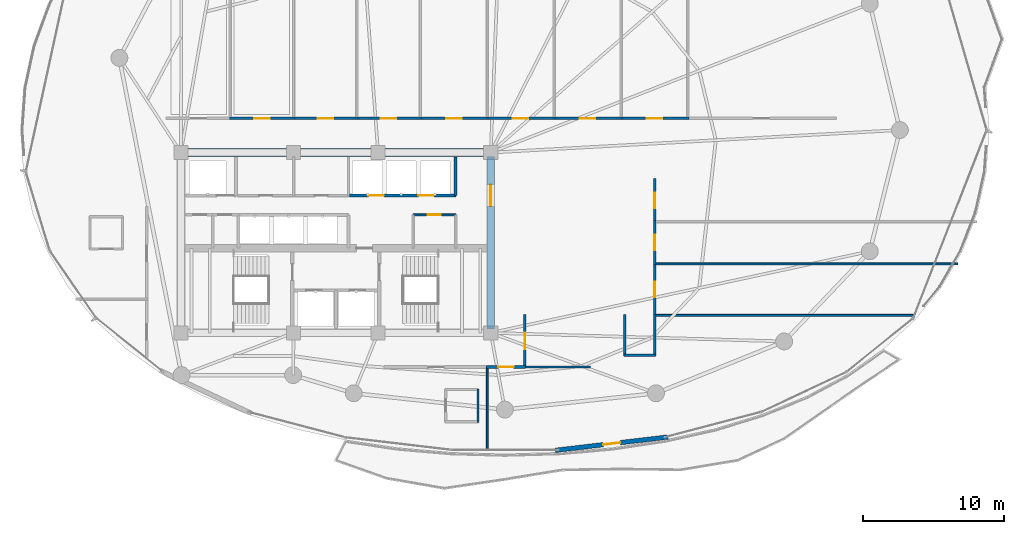
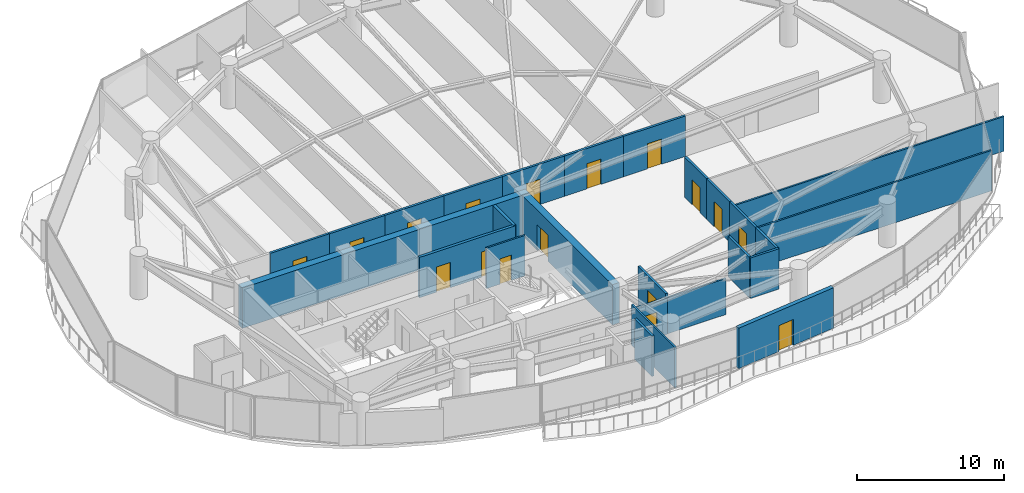
# One storey, part 27 of 34: 26 walls, 17 doors, 17 openings.
"""IFC4 building model written with IfcOpenShell, lengths in metres."""

from ifc_helpers import new_model, si_unit, direction, frame, frame_2d, origin, place, context, subcontext, project, spatial, rectangle, extrude, material, layer, layer_set, type_object, element, fill, save


model = new_model("IFC4")

# Units and contexts
model_context = context("Model", 3, precision=1e-05, world=origin(), true_north=direction((0.0, 1.0)))
body_context = subcontext(model_context, "Body", "Model", "MODEL_VIEW")
ifc_project = project(units=[si_unit("LENGTHUNIT", "METRE"), si_unit("AREAUNIT", "SQUARE_METRE"), si_unit("VOLUMEUNIT", "CUBIC_METRE"), si_unit("PLANEANGLEUNIT", "RADIAN"), si_unit("MASSUNIT", "GRAM", prefix="KILO")], contexts=[model_context])

# Site, building, storey
site_placement = place(None, origin())
site = spatial("IfcSite", under=ifc_project, at=site_placement, CompositionType="ELEMENT")
building_placement = place(site_placement, origin())
building = spatial("IfcBuilding", under=site, at=building_placement, Name="Kazevale Care Tower and Concert Hall", CompositionType="ELEMENT")
storey_placement = place(building_placement, frame((0.0, 0.0, 171.0)))
storey = spatial("IfcBuildingStorey", under=building, at=storey_placement, Name="L45", CompositionType="ELEMENT", Elevation=171.0)

# Wall, opening, door
ifc_material_1 = material(Name="Acoustic Gypsum on Steel Stud", Category="steel")
ifc_layer_1 = layer(ifc_material_1, 0.139892578125)
ifc_layer_set_1 = layer_set([ifc_layer_1], Name="Acoustic Gypsum on Steel Stud")
wall_type_1 = type_object("IfcWallType", Name="Acoustic Care & Suite Partition 140", PredefinedType="PARTITIONING", material=ifc_layer_set_1)
wall_1_placement = place(storey_placement, frame((38.47998046875, 31.97998046875, 0.0), z_axis=(0.0, 0.0, 1.0), x_axis=(1.0, 0.0, 0.0)))
wall_1 = element("IfcWall", 1, at=wall_1_placement, inside=storey, type_object=wall_type_1, Name="wall:L45:kb_en", PredefinedType="PARTITIONING", context=body_context, shape_type="SweptSolid", body=[
    extrude(rectangle(XDim=3.0400390625, YDim=0.139892578125, at=frame_2d((1.52001953125, 0.0))), origin(), (0.0, 0.0, 1.0), 3.360107421875),
])
opening_1_placement = place(wall_1_placement, frame((1.044921875, 0.0, 0.0)))
opening_1 = element("IfcOpeningElement", 2, at=opening_1_placement, cuts=wall_1, Name="Opening ID-900", PredefinedType="OPENING", context=body_context, shape_type="SweptSolid", body=[
    extrude(rectangle(XDim=0.919921875, YDim=2.10009765625, at=frame_2d((0.4599609375, 1.050048828125))), frame((0.0, 0.079833984375, 0.0), z_axis=(0.0, -1.0, 0.0), x_axis=(1.0, 0.0, 0.0)), (0.0, 0.0, 1.0), 0.159912109375),
])
ifc_material_2 = material(Name="Oak Timber Fire Leaf", Category="wood")
door_type_1 = type_object("IfcDoorType", Name="Bathroom & Service Door 920x2100", OperationType="NOTDEFINED", PredefinedType="DOOR", material=ifc_material_2)
door_1_placement = place(opening_1_placement, origin())
door_1 = element("IfcDoor", 3, at=door_1_placement, inside=storey, type_object=door_type_1, Name="door:L45:d_kbe", OperationType="SINGLE_SWING_LEFT", OverallHeight=2.10009765625, OverallWidth=0.919921875, PredefinedType="DOOR", context=body_context, shape_type="SweptSolid", body=[
    extrude(rectangle(XDim=0.919921875, YDim=2.10009765625, at=frame_2d((0.4599609375, 1.050048828125))), frame((0.0, 0.02490234375, 0.0), z_axis=(0.0, -1.0, 0.0), x_axis=(1.0, 0.0, 0.0)), (0.0, 0.0, 1.0), 0.050048828125),
])
fill(opening_1, door_1)

# Walls
wall_2_placement = place(storey_placement, frame((55.6201171875, 24.840087890625, 0.0), z_axis=(0.0, 0.0, 1.0), x_axis=(1.0, 0.0, 0.0)))
element("IfcWall", 4, at=wall_2_placement, inside=storey, type_object=wall_type_1, Name="wall:L45:auto_029", PredefinedType="PARTITIONING", context=body_context, shape_type="SweptSolid", body=[
    extrude(rectangle(XDim=18.44482421875, YDim=0.139892578125, at=frame_2d((9.222412109375, 0.0))), origin(), (0.0, 0.0, 1.0), 3.360107421875),
])
wall_3_placement = place(storey_placement, frame((51.06494140625, 21.175048828125, 0.0), z_axis=(0.0, 0.0, 1.0), x_axis=(-1.0, 0.0, 0.0)))
element("IfcWall", 5, at=wall_3_placement, inside=storey, type_object=wall_type_1, Name="wall:L45:auto_030", PredefinedType="PARTITIONING", context=body_context, shape_type="SweptSolid", body=[
    extrude(rectangle(XDim=4.669921875, YDim=0.139892578125, at=frame_2d((2.3349609375, 0.0))), origin(), (0.0, 0.0, 1.0), 2.99609375),
])
wall_4_placement = place(storey_placement, frame((55.6201171875, 28.5, 0.0), z_axis=(0.0, 0.0, 1.0), x_axis=(1.0, 0.0, 0.0)))
element("IfcWall", 6, at=wall_4_placement, inside=storey, type_object=wall_type_1, Name="wall:L45:auto_031", PredefinedType="PARTITIONING", context=body_context, shape_type="SweptSolid", body=[
    extrude(rectangle(XDim=21.519775390625, YDim=0.139892578125, at=frame_2d((10.759765625, 0.0))), origin(), (0.0, 0.0, 1.0), 2.889892578125),
])
wall_5_placement = place(storey_placement, frame((43.75, 21.205078125, 0.0), z_axis=(0.0, 0.0, 1.0), x_axis=(0.0, -1.0, 0.0)))
element("IfcWall", 7, at=wall_5_placement, inside=storey, type_object=wall_type_1, Name="wall:L45:auto_033", PredefinedType="PARTITIONING", context=body_context, shape_type="SweptSolid", body=[
    extrude(rectangle(XDim=5.906005859375, YDim=0.139892578125, at=frame_2d((2.953125, 0.0))), origin(), (0.0, 0.0, 1.0), 3.360107421875),
])
ifc_material_3 = material(Name="Concrete C60", Category="concrete")
ifc_layer_2 = layer(ifc_material_3, 0.550048828125)
ifc_layer_set_2 = layer_set([ifc_layer_2], Name="Concrete C60")
wall_type_2 = type_object("IfcWallType", Name="Core Shear Wall 550 C60", PredefinedType="SHEAR", material=ifc_layer_set_2)
wall_6_placement = place(storey_placement, frame((21.72509765625, 36.39990234375, 0.0), z_axis=(0.0, 0.0, 1.0), x_axis=(1.0, 0.0, 0.0)))
element("IfcWall", 8, at=wall_6_placement, inside=storey, type_object=wall_type_2, Name="wall:L45:core:N", PredefinedType="SHEAR", context=body_context, shape_type="SweptSolid", body=[
    extrude(rectangle(XDim=22.5498046875, YDim=0.550048828125, at=frame_2d((11.27490234375, 0.0))), origin(), (0.0, 0.0, 1.0), 3.360107421875),
])

# Wall, opening, door
wall_7_placement = place(storey_placement, frame((44.0, 23.875, 0.0), z_axis=(0.0, 0.0, 1.0), x_axis=(0.0, 1.0, 0.0)))
wall_7 = element("IfcWall", 9, at=wall_7_placement, inside=storey, type_object=wall_type_2, Name="wall:L45:core:E", PredefinedType="SHEAR", context=body_context, shape_type="SweptSolid", body=[
    extrude(rectangle(XDim=12.25, YDim=0.550048828125, at=frame_2d((6.125, 0.0))), origin(), (0.0, 0.0, 1.0), 3.360107421875),
])
opening_2_placement = place(wall_7_placement, frame((8.72509765625, 0.0, 0.0)))
opening_2 = element("IfcOpeningElement", 10, at=opening_2_placement, cuts=wall_7, Name="Opening FD-60D", PredefinedType="OPENING", context=body_context, shape_type="SweptSolid", body=[
    extrude(rectangle(XDim=1.5, YDim=2.14990234375, at=frame_2d((0.75, 1.074951171875))), frame((0.0, 0.284912109375, 0.0), z_axis=(0.0, -1.0, 0.0), x_axis=(1.0, 0.0, 0.0)), (0.0, 0.0, 1.0), 0.570068359375),
])
door_type_2 = type_object("IfcDoorType", Name="Double Lobby & Auditorium Fire Door 1500x2150", OperationType="NOTDEFINED", PredefinedType="DOOR", material=ifc_material_2)
door_2_placement = place(opening_2_placement, origin())
door_2 = element("IfcDoor", 11, at=door_2_placement, inside=storey, type_object=door_type_2, Name="door:L45:core_east_out", OperationType="DOUBLE_DOOR_SINGLE_SWING", OverallHeight=2.14990234375, OverallWidth=1.5, PredefinedType="DOOR", context=body_context, shape_type="SweptSolid", body=[
    extrude(rectangle(XDim=1.5, YDim=2.14990234375, at=frame_2d((0.75, 1.074951171875))), frame((0.0, 0.02490234375, 0.0), z_axis=(0.0, -1.0, 0.0), x_axis=(1.0, 0.0, 0.0)), (0.0, 0.0, 1.0), 0.050048828125),
])
fill(opening_2, door_2)

# Wall, openings, doors
ifc_material_4 = material(Name="Concrete C40", Category="concrete")
ifc_layer_3 = layer(ifc_material_4, 0.219970703125)
ifc_layer_set_3 = layer_set([ifc_layer_3], Name="Concrete C40")
wall_type_3 = type_object("IfcWallType", Name="Elevator Hoistway Shaft Wall 220", PredefinedType="SOLIDWALL", material=ifc_layer_set_3)
wall_8_placement = place(storey_placement, frame((33.97998046875, 33.35009765625, 0.0), z_axis=(0.0, 0.0, 1.0), x_axis=(1.0, 0.0, 0.0)))
wall_8 = element("IfcWall", 12, at=wall_8_placement, inside=storey, type_object=wall_type_3, Name="wall:L45:c_pm_s", PredefinedType="SOLIDWALL", context=body_context, shape_type="SweptSolid", body=[
    extrude(rectangle(XDim=7.5400390625, YDim=0.219970703125, at=frame_2d((3.77001953125, 0.0))), origin(), (0.0, 0.0, 1.0), 3.360107421875),
])
opening_3_placement = place(wall_8_placement, frame((1.3349609375, 0.0, 0.0)))
opening_3 = element("IfcOpeningElement", 13, at=opening_3_placement, cuts=wall_8, Name="Opening LD-PAX", PredefinedType="OPENING", context=body_context, shape_type="SweptSolid", body=[
    extrude(rectangle(XDim=1.10009765625, YDim=2.10009765625, at=frame_2d((0.550048828125, 1.050048828125))), frame((0.0, 0.119873046875, 0.0), z_axis=(0.0, -1.0, 0.0), x_axis=(1.0, 0.0, 0.0)), (0.0, 0.0, 1.0), 0.239990234375),
])
opening_4_placement = place(wall_8_placement, frame((4.87890625, 0.0, 0.0)))
opening_4 = element("IfcOpeningElement", 14, at=opening_4_placement, cuts=wall_8, Name="Opening LD-PAX", PredefinedType="OPENING", context=body_context, shape_type="SweptSolid", body=[
    extrude(rectangle(XDim=1.10009765625, YDim=2.10009765625, at=frame_2d((0.550048828125, 1.050048828125))), frame((0.0, 0.119873046875, 0.0), z_axis=(0.0, -1.0, 0.0), x_axis=(1.0, 0.0, 0.0)), (0.0, 0.0, 1.0), 0.239990234375),
])
ifc_material_5 = material(Name="Stainless Steel 316", Category="steel")
door_type_3 = type_object("IfcDoorType", Name="Passenger Lift Sliding Landing Door 1100x2100", OperationType="NOTDEFINED", PredefinedType="DOOR", material=ifc_material_5)
door_3_placement = place(opening_3_placement, origin())
door_3 = element("IfcDoor", 15, at=door_3_placement, inside=storey, type_object=door_type_3, Name="door:L45:ld_pm1", OperationType="SLIDING_TO_LEFT", OverallHeight=2.10009765625, OverallWidth=1.10009765625, PredefinedType="DOOR", context=body_context, shape_type="SweptSolid", body=[
    extrude(rectangle(XDim=1.10009765625, YDim=2.10009765625, at=frame_2d((0.550048828125, 1.050048828125))), frame((0.0, 0.02490234375, 0.0), z_axis=(0.0, -1.0, 0.0), x_axis=(1.0, 0.0, 0.0)), (0.0, 0.0, 1.0), 0.050048828125),
])
fill(opening_3, door_3)
door_4_placement = place(opening_4_placement, origin())
door_4 = element("IfcDoor", 16, at=door_4_placement, inside=storey, type_object=door_type_3, Name="door:L45:ld_pm2", OperationType="SLIDING_TO_RIGHT", OverallHeight=2.10009765625, OverallWidth=1.10009765625, PredefinedType="DOOR", context=body_context, shape_type="SweptSolid", body=[
    extrude(rectangle(XDim=1.10009765625, YDim=2.10009765625, at=frame_2d((0.550048828125, 1.050048828125))), frame((0.0, 0.02490234375, 0.0), z_axis=(0.0, -1.0, 0.0), x_axis=(1.0, 0.0, 0.0)), (0.0, 0.0, 1.0), 0.050048828125),
])
fill(opening_4, door_4)

# Wall
wall_9_placement = place(storey_placement, frame((41.5, 33.35009765625, 0.0), z_axis=(0.0, 0.0, 1.0), x_axis=(0.0, 1.0, 0.0)))
element("IfcWall", 17, at=wall_9_placement, inside=storey, type_object=wall_type_3, Name="wall:L45:c_pm_e", PredefinedType="SOLIDWALL", context=body_context, shape_type="SweptSolid", body=[
    extrude(rectangle(XDim=2.75, YDim=0.219970703125, at=frame_2d((1.375, 0.0))), origin(), (0.0, 0.0, 1.0), 3.360107421875),
])

# Wall, opening, door
ifc_material_6 = material(Name="Concrete C40 and Acoustic Gypsum", Category="concrete")
ifc_layer_4 = layer(ifc_material_6, 0.179931640625)
ifc_layer_set_4 = layer_set([ifc_layer_4], Name="Concrete C40 and Acoustic Gypsum")
wall_type_4 = type_object("IfcWallType", Name="Fire-Rated Corridor & Party Wall 180", PredefinedType="PARTITIONING", material=ifc_layer_set_4)
wall_10_placement = place(storey_placement, frame((25.43505859375, 38.824951171875, 0.0), z_axis=(0.0, 0.0, 1.0), x_axis=(1.0, 0.0, 0.0)))
wall_10 = element("IfcWall", 18, at=wall_10_placement, inside=storey, type_object=wall_type_4, Name="wall:L45:auto_002", PredefinedType="PARTITIONING", context=body_context, shape_type="SweptSolid", body=[
    extrude(rectangle(XDim=4.6298828125, YDim=0.179931640625, at=frame_2d((2.31494140625, 0.0))), origin(), (0.0, 0.0, 1.0), 3.360107421875),
])
opening_5_placement = place(wall_10_placement, frame((1.764892578125, 0.0, 0.0)))
opening_5 = element("IfcOpeningElement", 19, at=opening_5_placement, cuts=wall_10, Name="Opening ID-1100", PredefinedType="OPENING", context=body_context, shape_type="SweptSolid", body=[
    extrude(rectangle(XDim=1.10009765625, YDim=2.10009765625, at=frame_2d((0.550048828125, 1.050048828125))), frame((0.0, 0.099853515625, 0.0), z_axis=(0.0, -1.0, 0.0), x_axis=(1.0, 0.0, 0.0)), (0.0, 0.0, 1.0), 0.199951171875),
])
door_type_4 = type_object("IfcDoorType", Name="Care Bedroom Accessible Door 1100x2100", OperationType="NOTDEFINED", PredefinedType="DOOR", material=ifc_material_2)
door_5_placement = place(opening_5_placement, origin())
door_5 = element("IfcDoor", 20, at=door_5_placement, inside=storey, type_object=door_type_4, Name="door:L45:ad_002", OperationType="SINGLE_SWING_LEFT", OverallHeight=2.10009765625, OverallWidth=1.10009765625, PredefinedType="DOOR", context=body_context, shape_type="SweptSolid", body=[
    extrude(rectangle(XDim=1.10009765625, YDim=2.10009765625, at=frame_2d((0.550048828125, 1.050048828125))), frame((0.0, 0.02490234375, 0.0), z_axis=(0.0, -1.0, 0.0), x_axis=(1.0, 0.0, 0.0)), (0.0, 0.0, 1.0), 0.050048828125),
])
fill(opening_5, door_5)

wall_11_placement = place(storey_placement, frame((29.93505859375, 38.824951171875, 0.0), z_axis=(0.0, 0.0, 1.0), x_axis=(1.0, 0.0, 0.0)))
wall_11 = element("IfcWall", 21, at=wall_11_placement, inside=storey, type_object=wall_type_4, Name="wall:L45:auto_003", PredefinedType="PARTITIONING", context=body_context, shape_type="SweptSolid", body=[
    extrude(rectangle(XDim=4.6298828125, YDim=0.179931640625, at=frame_2d((2.31494140625, 0.0))), origin(), (0.0, 0.0, 1.0), 3.360107421875),
])
opening_6_placement = place(wall_11_placement, frame((1.764892578125, 0.0, 0.0)))
opening_6 = element("IfcOpeningElement", 22, at=opening_6_placement, cuts=wall_11, Name="Opening ID-1100", PredefinedType="OPENING", context=body_context, shape_type="SweptSolid", body=[
    extrude(rectangle(XDim=1.10009765625, YDim=2.10009765625, at=frame_2d((0.550048828125, 1.050048828125))), frame((0.0, 0.099853515625, 0.0), z_axis=(0.0, -1.0, 0.0), x_axis=(1.0, 0.0, 0.0)), (0.0, 0.0, 1.0), 0.199951171875),
])
door_6_placement = place(opening_6_placement, origin())
door_6 = element("IfcDoor", 23, at=door_6_placement, inside=storey, type_object=door_type_4, Name="door:L45:ad_003", OperationType="SINGLE_SWING_LEFT", OverallHeight=2.10009765625, OverallWidth=1.10009765625, PredefinedType="DOOR", context=body_context, shape_type="SweptSolid", body=[
    extrude(rectangle(XDim=1.10009765625, YDim=2.10009765625, at=frame_2d((0.550048828125, 1.050048828125))), frame((0.0, 0.02490234375, 0.0), z_axis=(0.0, -1.0, 0.0), x_axis=(1.0, 0.0, 0.0)), (0.0, 0.0, 1.0), 0.050048828125),
])
fill(opening_6, door_6)

wall_12_placement = place(storey_placement, frame((34.43505859375, 38.824951171875, 0.0), z_axis=(0.0, 0.0, 1.0), x_axis=(1.0, 0.0, 0.0)))
wall_12 = element("IfcWall", 24, at=wall_12_placement, inside=storey, type_object=wall_type_4, Name="wall:L45:auto_004", PredefinedType="PARTITIONING", context=body_context, shape_type="SweptSolid", body=[
    extrude(rectangle(XDim=4.6298828125, YDim=0.179931640625, at=frame_2d((2.31494140625, 0.0))), origin(), (0.0, 0.0, 1.0), 3.360107421875),
])
opening_7_placement = place(wall_12_placement, frame((1.764892578125, 0.0, 0.0)))
opening_7 = element("IfcOpeningElement", 25, at=opening_7_placement, cuts=wall_12, Name="Opening ID-1100", PredefinedType="OPENING", context=body_context, shape_type="SweptSolid", body=[
    extrude(rectangle(XDim=1.10009765625, YDim=2.10009765625, at=frame_2d((0.550048828125, 1.050048828125))), frame((0.0, 0.099853515625, 0.0), z_axis=(0.0, -1.0, 0.0), x_axis=(1.0, 0.0, 0.0)), (0.0, 0.0, 1.0), 0.199951171875),
])
door_7_placement = place(opening_7_placement, origin())
door_7 = element("IfcDoor", 26, at=door_7_placement, inside=storey, type_object=door_type_4, Name="door:L45:ad_004", OperationType="SINGLE_SWING_LEFT", OverallHeight=2.10009765625, OverallWidth=1.10009765625, PredefinedType="DOOR", context=body_context, shape_type="SweptSolid", body=[
    extrude(rectangle(XDim=1.10009765625, YDim=2.10009765625, at=frame_2d((0.550048828125, 1.050048828125))), frame((0.0, 0.02490234375, 0.0), z_axis=(0.0, -1.0, 0.0), x_axis=(1.0, 0.0, 0.0)), (0.0, 0.0, 1.0), 0.050048828125),
])
fill(opening_7, door_7)

wall_13_placement = place(storey_placement, frame((38.93505859375, 38.824951171875, 0.0), z_axis=(0.0, 0.0, 1.0), x_axis=(1.0, 0.0, 0.0)))
wall_13 = element("IfcWall", 27, at=wall_13_placement, inside=storey, type_object=wall_type_4, Name="wall:L45:auto_005", PredefinedType="PARTITIONING", context=body_context, shape_type="SweptSolid", body=[
    extrude(rectangle(XDim=4.8798828125, YDim=0.179931640625, at=frame_2d((2.43994140625, 0.0))), origin(), (0.0, 0.0, 1.0), 3.360107421875),
])
opening_8_placement = place(wall_13_placement, frame((1.889892578125, 0.0, 0.0)))
opening_8 = element("IfcOpeningElement", 28, at=opening_8_placement, cuts=wall_13, Name="Opening ID-1100", PredefinedType="OPENING", context=body_context, shape_type="SweptSolid", body=[
    extrude(rectangle(XDim=1.10009765625, YDim=2.10009765625, at=frame_2d((0.550048828125, 1.050048828125))), frame((0.0, 0.099853515625, 0.0), z_axis=(0.0, -1.0, 0.0), x_axis=(1.0, 0.0, 0.0)), (0.0, 0.0, 1.0), 0.199951171875),
])
door_8_placement = place(opening_8_placement, origin())
door_8 = element("IfcDoor", 29, at=door_8_placement, inside=storey, type_object=door_type_4, Name="door:L45:ad_005", OperationType="SINGLE_SWING_LEFT", OverallHeight=2.10009765625, OverallWidth=1.10009765625, PredefinedType="DOOR", context=body_context, shape_type="SweptSolid", body=[
    extrude(rectangle(XDim=1.10009765625, YDim=2.10009765625, at=frame_2d((0.550048828125, 1.050048828125))), frame((0.0, 0.02490234375, 0.0), z_axis=(0.0, -1.0, 0.0), x_axis=(1.0, 0.0, 0.0)), (0.0, 0.0, 1.0), 0.050048828125),
])
fill(opening_8, door_8)

wall_14_placement = place(storey_placement, frame((43.68505859375, 38.824951171875, 0.0), z_axis=(0.0, 0.0, 1.0), x_axis=(1.0, 0.0, 0.0)))
wall_14 = element("IfcWall", 30, at=wall_14_placement, inside=storey, type_object=wall_type_4, Name="wall:L45:auto_006", PredefinedType="PARTITIONING", context=body_context, shape_type="SweptSolid", body=[
    extrude(rectangle(XDim=4.8798828125, YDim=0.179931640625, at=frame_2d((2.43994140625, 0.0))), origin(), (0.0, 0.0, 1.0), 3.360107421875),
])
opening_9_placement = place(wall_14_placement, frame((1.889892578125, 0.0, 0.0)))
opening_9 = element("IfcOpeningElement", 31, at=opening_9_placement, cuts=wall_14, Name="Opening ID-1100", PredefinedType="OPENING", context=body_context, shape_type="SweptSolid", body=[
    extrude(rectangle(XDim=1.10009765625, YDim=2.10009765625, at=frame_2d((0.550048828125, 1.050048828125))), frame((0.0, 0.099853515625, 0.0), z_axis=(0.0, -1.0, 0.0), x_axis=(1.0, 0.0, 0.0)), (0.0, 0.0, 1.0), 0.199951171875),
])
door_9_placement = place(opening_9_placement, origin())
door_9 = element("IfcDoor", 32, at=door_9_placement, inside=storey, type_object=door_type_4, Name="door:L45:ad_006", OperationType="SINGLE_SWING_LEFT", OverallHeight=2.10009765625, OverallWidth=1.10009765625, PredefinedType="DOOR", context=body_context, shape_type="SweptSolid", body=[
    extrude(rectangle(XDim=1.10009765625, YDim=2.10009765625, at=frame_2d((0.550048828125, 1.050048828125))), frame((0.0, 0.02490234375, 0.0), z_axis=(0.0, -1.0, 0.0), x_axis=(1.0, 0.0, 0.0)), (0.0, 0.0, 1.0), 0.050048828125),
])
fill(opening_9, door_9)

wall_15_placement = place(storey_placement, frame((48.43505859375, 38.824951171875, 0.0), z_axis=(0.0, 0.0, 1.0), x_axis=(1.0, 0.0, 0.0)))
wall_15 = element("IfcWall", 33, at=wall_15_placement, inside=storey, type_object=wall_type_4, Name="wall:L45:auto_007", PredefinedType="PARTITIONING", context=body_context, shape_type="SweptSolid", body=[
    extrude(rectangle(XDim=4.8798828125, YDim=0.179931640625, at=frame_2d((2.43994140625, 0.0))), origin(), (0.0, 0.0, 1.0), 3.360107421875),
])
opening_10_placement = place(wall_15_placement, frame((1.889892578125, 0.0, 0.0)))
opening_10 = element("IfcOpeningElement", 34, at=opening_10_placement, cuts=wall_15, Name="Opening ID-1100", PredefinedType="OPENING", context=body_context, shape_type="SweptSolid", body=[
    extrude(rectangle(XDim=1.10009765625, YDim=2.10009765625, at=frame_2d((0.550048828125, 1.050048828125))), frame((0.0, 0.099853515625, 0.0), z_axis=(0.0, -1.0, 0.0), x_axis=(1.0, 0.0, 0.0)), (0.0, 0.0, 1.0), 0.199951171875),
])
door_10_placement = place(opening_10_placement, origin())
door_10 = element("IfcDoor", 35, at=door_10_placement, inside=storey, type_object=door_type_4, Name="door:L45:ad_007", OperationType="SINGLE_SWING_LEFT", OverallHeight=2.10009765625, OverallWidth=1.10009765625, PredefinedType="DOOR", context=body_context, shape_type="SweptSolid", body=[
    extrude(rectangle(XDim=1.10009765625, YDim=2.10009765625, at=frame_2d((0.550048828125, 1.050048828125))), frame((0.0, 0.02490234375, 0.0), z_axis=(0.0, -1.0, 0.0), x_axis=(1.0, 0.0, 0.0)), (0.0, 0.0, 1.0), 0.050048828125),
])
fill(opening_10, door_10)

wall_16_placement = place(storey_placement, frame((53.18505859375, 38.824951171875, 0.0), z_axis=(0.0, 0.0, 1.0), x_axis=(1.0, 0.0, 0.0)))
wall_16 = element("IfcWall", 36, at=wall_16_placement, inside=storey, type_object=wall_type_4, Name="wall:L45:auto_008", PredefinedType="PARTITIONING", context=body_context, shape_type="SweptSolid", body=[
    extrude(rectangle(XDim=4.8798828125, YDim=0.179931640625, at=frame_2d((2.43994140625, 0.0))), origin(), (0.0, 0.0, 1.0), 3.360107421875),
])
opening_11_placement = place(wall_16_placement, frame((1.889892578125, 0.0, 0.0)))
opening_11 = element("IfcOpeningElement", 37, at=opening_11_placement, cuts=wall_16, Name="Opening ID-1100", PredefinedType="OPENING", context=body_context, shape_type="SweptSolid", body=[
    extrude(rectangle(XDim=1.10009765625, YDim=2.10009765625, at=frame_2d((0.550048828125, 1.050048828125))), frame((0.0, 0.099853515625, 0.0), z_axis=(0.0, -1.0, 0.0), x_axis=(1.0, 0.0, 0.0)), (0.0, 0.0, 1.0), 0.199951171875),
])
door_11_placement = place(opening_11_placement, origin())
door_11 = element("IfcDoor", 38, at=door_11_placement, inside=storey, type_object=door_type_4, Name="door:L45:ad_008", OperationType="SINGLE_SWING_LEFT", OverallHeight=2.10009765625, OverallWidth=1.10009765625, PredefinedType="DOOR", context=body_context, shape_type="SweptSolid", body=[
    extrude(rectangle(XDim=1.10009765625, YDim=2.10009765625, at=frame_2d((0.550048828125, 1.050048828125))), frame((0.0, 0.02490234375, 0.0), z_axis=(0.0, -1.0, 0.0), x_axis=(1.0, 0.0, 0.0)), (0.0, 0.0, 1.0), 0.050048828125),
])
fill(opening_11, door_11)

wall_17_placement = place(storey_placement, frame((46.425048828125, 24.905029296875, 0.0), z_axis=(0.0, 0.0, 1.0), x_axis=(0.0, -1.0, 0.0)))
wall_17 = element("IfcWall", 39, at=wall_17_placement, inside=storey, type_object=wall_type_4, Name="wall:L45:auto_010", PredefinedType="PARTITIONING", context=body_context, shape_type="SweptSolid", body=[
    extrude(rectangle(XDim=3.760009765625, YDim=0.179931640625, at=frame_2d((1.8798828125, 0.0))), origin(), (0.0, 0.0, 1.0), 3.360107421875),
])
opening_12_placement = place(wall_17_placement, frame((1.280029296875, 0.0, 0.0)))
opening_12 = element("IfcOpeningElement", 40, at=opening_12_placement, cuts=wall_17, Name="Opening ID-1200", PredefinedType="OPENING", context=body_context, shape_type="SweptSolid", body=[
    extrude(rectangle(XDim=1.199951171875, YDim=2.14990234375, at=frame_2d((0.60009765625, 1.074951171875))), frame((0.0, 0.099853515625, 0.0), z_axis=(0.0, -1.0, 0.0), x_axis=(1.0, 0.0, 0.0)), (0.0, 0.0, 1.0), 0.199951171875),
])
door_type_5 = type_object("IfcDoorType", Name="Clinical & Therapy Door 1200x2150", OperationType="NOTDEFINED", PredefinedType="DOOR", material=ifc_material_2)
door_12_placement = place(opening_12_placement, origin())
door_12 = element("IfcDoor", 41, at=door_12_placement, inside=storey, type_object=door_type_5, Name="door:L45:ad_010", OperationType="SINGLE_SWING_LEFT", OverallHeight=2.14990234375, OverallWidth=1.199951171875, PredefinedType="DOOR", context=body_context, shape_type="SweptSolid", body=[
    extrude(rectangle(XDim=1.199951171875, YDim=2.14990234375, at=frame_2d((0.60009765625, 1.074951171875))), frame((0.0, 0.02490234375, 0.0), z_axis=(0.0, -1.0, 0.0), x_axis=(1.0, 0.0, 0.0)), (0.0, 0.0, 1.0), 0.050048828125),
])
fill(opening_12, door_12)

# Walls
for number, where, z_axis, x_axis, name in (
    (42, (55.64990234375, 24.905029296875, 0.0), (0.0, 0.0, 1.0), (0.0, -1.0, 0.0), "wall:L45:auto_011"),
    (43, (53.5, 21.969970703125, 0.0), (0.0, 0.0, 1.0), (0.0, 1.0, 0.0), "wall:L45:auto_012"),
):
    element("IfcWall", number, at=place(storey_placement, frame(where, z_axis=z_axis, x_axis=x_axis)), inside=storey, type_object=wall_type_4, Name=name, PredefinedType="PARTITIONING", context=body_context, shape_type="SweptSolid", body=[
        extrude(rectangle(XDim=2.93505859375, YDim=0.179931640625, at=frame_2d((1.467529296875, 0.0))), origin(), (0.0, 0.0, 1.0), 3.360107421875),
    ])
wall_18_placement = place(storey_placement, frame((55.679931640625, 22.0, 0.0), z_axis=(0.0, 0.0, 1.0), x_axis=(-1.0, 0.0, 0.0)))
element("IfcWall", 44, at=wall_18_placement, inside=storey, type_object=wall_type_4, Name="wall:L45:auto_013", PredefinedType="PARTITIONING", context=body_context, shape_type="SweptSolid", body=[
    extrude(rectangle(XDim=2.2099609375, YDim=0.179931640625, at=frame_2d((1.10498046875, 0.0))), origin(), (0.0, 0.0, 1.0), 3.360107421875),
])

# Wall, opening, door
wall_19_placement = place(storey_placement, frame((55.64990234375, 28.56494140625, 0.0), z_axis=(0.0, 0.0, 1.0), x_axis=(0.0, -1.0, 0.0)))
wall_19 = element("IfcWall", 45, at=wall_19_placement, inside=storey, type_object=wall_type_4, Name="wall:L45:auto_014", PredefinedType="PARTITIONING", context=body_context, shape_type="SweptSolid", body=[
    extrude(rectangle(XDim=3.7900390625, YDim=0.179931640625, at=frame_2d((1.89501953125, 0.0))), origin(), (0.0, 0.0, 1.0), 3.360107421875),
])
opening_13_placement = place(wall_19_placement, frame((1.344970703125, 0.0, 0.0)))
opening_13 = element("IfcOpeningElement", 46, at=opening_13_placement, cuts=wall_19, Name="Opening ID-1100", PredefinedType="OPENING", context=body_context, shape_type="SweptSolid", body=[
    extrude(rectangle(XDim=1.10009765625, YDim=2.10009765625, at=frame_2d((0.550048828125, 1.050048828125))), frame((0.0, 0.099853515625, 0.0), z_axis=(0.0, -1.0, 0.0), x_axis=(1.0, 0.0, 0.0)), (0.0, 0.0, 1.0), 0.199951171875),
])
door_13_placement = place(opening_13_placement, origin())
door_13 = element("IfcDoor", 47, at=door_13_placement, inside=storey, type_object=door_type_4, Name="door:L45:ad_014", OperationType="SINGLE_SWING_LEFT", OverallHeight=2.10009765625, OverallWidth=1.10009765625, PredefinedType="DOOR", context=body_context, shape_type="SweptSolid", body=[
    extrude(rectangle(XDim=1.10009765625, YDim=2.10009765625, at=frame_2d((0.550048828125, 1.050048828125))), frame((0.0, 0.02490234375, 0.0), z_axis=(0.0, -1.0, 0.0), x_axis=(1.0, 0.0, 0.0)), (0.0, 0.0, 1.0), 0.050048828125),
])
fill(opening_13, door_13)

wall_20_placement = place(storey_placement, frame((55.64990234375, 31.56494140625, 0.0), z_axis=(0.0, 0.0, 1.0), x_axis=(0.0, -1.0, 0.0)))
wall_20 = element("IfcWall", 48, at=wall_20_placement, inside=storey, type_object=wall_type_4, Name="wall:L45:auto_015", PredefinedType="PARTITIONING", context=body_context, shape_type="SweptSolid", body=[
    extrude(rectangle(XDim=3.1298828125, YDim=0.179931640625, at=frame_2d((1.56494140625, 0.0))), origin(), (0.0, 0.0, 1.0), 3.360107421875),
])
opening_14_placement = place(wall_20_placement, frame((1.014892578125, 0.0, 0.0)))
opening_14 = element("IfcOpeningElement", 49, at=opening_14_placement, cuts=wall_20, Name="Opening ID-1100", PredefinedType="OPENING", context=body_context, shape_type="SweptSolid", body=[
    extrude(rectangle(XDim=1.10009765625, YDim=2.10009765625, at=frame_2d((0.550048828125, 1.050048828125))), frame((0.0, 0.099853515625, 0.0), z_axis=(0.0, -1.0, 0.0), x_axis=(1.0, 0.0, 0.0)), (0.0, 0.0, 1.0), 0.199951171875),
])
door_14_placement = place(opening_14_placement, origin())
door_14 = element("IfcDoor", 50, at=door_14_placement, inside=storey, type_object=door_type_4, Name="door:L45:ad_015", OperationType="SINGLE_SWING_LEFT", OverallHeight=2.10009765625, OverallWidth=1.10009765625, PredefinedType="DOOR", context=body_context, shape_type="SweptSolid", body=[
    extrude(rectangle(XDim=1.10009765625, YDim=2.10009765625, at=frame_2d((0.550048828125, 1.050048828125))), frame((0.0, 0.02490234375, 0.0), z_axis=(0.0, -1.0, 0.0), x_axis=(1.0, 0.0, 0.0)), (0.0, 0.0, 1.0), 0.050048828125),
])
fill(opening_14, door_14)

wall_21_placement = place(storey_placement, frame((55.64990234375, 34.56494140625, 0.0), z_axis=(0.0, 0.0, 1.0), x_axis=(0.0, -1.0, 0.0)))
wall_21 = element("IfcWall", 51, at=wall_21_placement, inside=storey, type_object=wall_type_4, Name="wall:L45:auto_016", PredefinedType="PARTITIONING", context=body_context, shape_type="SweptSolid", body=[
    extrude(rectangle(XDim=3.1298828125, YDim=0.179931640625, at=frame_2d((1.56494140625, 0.0))), origin(), (0.0, 0.0, 1.0), 3.360107421875),
])
opening_15_placement = place(wall_21_placement, frame((1.014892578125, 0.0, 0.0)))
opening_15 = element("IfcOpeningElement", 52, at=opening_15_placement, cuts=wall_21, Name="Opening ID-1100", PredefinedType="OPENING", context=body_context, shape_type="SweptSolid", body=[
    extrude(rectangle(XDim=1.10009765625, YDim=2.10009765625, at=frame_2d((0.550048828125, 1.050048828125))), frame((0.0, 0.099853515625, 0.0), z_axis=(0.0, -1.0, 0.0), x_axis=(1.0, 0.0, 0.0)), (0.0, 0.0, 1.0), 0.199951171875),
])
door_15_placement = place(opening_15_placement, origin())
door_15 = element("IfcDoor", 53, at=door_15_placement, inside=storey, type_object=door_type_4, Name="door:L45:ad_016", OperationType="SINGLE_SWING_LEFT", OverallHeight=2.10009765625, OverallWidth=1.10009765625, PredefinedType="DOOR", context=body_context, shape_type="SweptSolid", body=[
    extrude(rectangle(XDim=1.10009765625, YDim=2.10009765625, at=frame_2d((0.550048828125, 1.050048828125))), frame((0.0, 0.02490234375, 0.0), z_axis=(0.0, -1.0, 0.0), x_axis=(1.0, 0.0, 0.0)), (0.0, 0.0, 1.0), 0.050048828125),
])
fill(opening_15, door_15)

wall_22_placement = place(storey_placement, frame((46.455078125, 21.175048828125, 0.0), z_axis=(0.0, 0.0, 1.0), x_axis=(-1.0, 0.0, 0.0)))
wall_22 = element("IfcWall", 54, at=wall_22_placement, inside=storey, type_object=wall_type_4, Name="wall:L45:auto_018", PredefinedType="PARTITIONING", context=body_context, shape_type="SweptSolid", body=[
    extrude(rectangle(XDim=2.77001953125, YDim=0.179931640625, at=frame_2d((1.385009765625, 0.0))), origin(), (0.0, 0.0, 1.0), 2.99609375),
])
opening_16_placement = place(wall_22_placement, frame((0.8349609375, 0.0, 0.0)))
opening_16 = element("IfcOpeningElement", 55, at=opening_16_placement, cuts=wall_22, Name="Opening ID-1100", PredefinedType="OPENING", context=body_context, shape_type="SweptSolid", body=[
    extrude(rectangle(XDim=1.10009765625, YDim=2.10009765625, at=frame_2d((0.550048828125, 1.050048828125))), frame((0.0, 0.099853515625, 0.0), z_axis=(0.0, -1.0, 0.0), x_axis=(1.0, 0.0, 0.0)), (0.0, 0.0, 1.0), 0.199951171875),
])
door_16_placement = place(opening_16_placement, origin())
door_16 = element("IfcDoor", 56, at=door_16_placement, inside=storey, type_object=door_type_4, Name="door:L45:ad_018", OperationType="SINGLE_SWING_LEFT", OverallHeight=2.10009765625, OverallWidth=1.10009765625, PredefinedType="DOOR", context=body_context, shape_type="SweptSolid", body=[
    extrude(rectangle(XDim=1.10009765625, YDim=2.10009765625, at=frame_2d((0.550048828125, 1.050048828125))), frame((0.0, 0.02490234375, 0.0), z_axis=(0.0, -1.0, 0.0), x_axis=(1.0, 0.0, 0.0)), (0.0, 0.0, 1.0), 0.050048828125),
])
fill(opening_16, door_16)

# Wall
ifc_layer_5 = layer(ifc_material_1, 0.159912109375)
ifc_layer_set_5 = layer_set([ifc_layer_5], Name="Acoustic Gypsum on Steel Stud")
wall_type_5 = type_object("IfcWallType", Name="Moisture-Resistant Bathroom Plumbing Wall 160", PredefinedType="PLUMBINGWALL", material=ifc_layer_set_5)
wall_23_placement = place(storey_placement, frame((43.10009765625, 17.241943359375, 0.0), z_axis=(0.0, 0.0, 1.0), x_axis=(0.0, 1.0, 0.0)))
element("IfcWall", 57, at=wall_23_placement, inside=storey, type_object=wall_type_5, Name="wall:L45:sb2a_ens_we", PredefinedType="PLUMBINGWALL", context=body_context, shape_type="SweptSolid", body=[
    extrude(rectangle(XDim=2.380126953125, YDim=0.159912109375, at=frame_2d((1.18994140625, 0.0))), origin(), (0.0, 0.0, 1.0), 3.360107421875),
])

# Wall, opening, door
ifc_material_7 = material(Name="Concrete C40 with Honed Limestone Cladding", Category="masonry")
ifc_layer_6 = layer(ifc_material_7, 0.320068359375)
ifc_layer_set_6 = layer_set([ifc_layer_6], Name="Concrete C40 with Honed Limestone Cladding")
wall_type_6 = type_object("IfcWallType", Name="Tower Honed Limestone Spandrel Wall 320", PredefinedType="STANDARD", material=ifc_layer_set_6)
wall_24_placement = place(storey_placement, frame((56.5869140625, 16.205078125, 0.0), z_axis=(0.0, 0.0, 1.0), x_axis=(-0.993072847957, -0.117500292131, 0.0)))
wall_24 = element("IfcWall", 58, at=wall_24_placement, inside=storey, type_object=wall_type_6, Name="wall:L45:bal_host", PredefinedType="STANDARD", context=body_context, shape_type="SweptSolid", body=[
    extrude(rectangle(XDim=8.059814453125, YDim=0.320068359375, at=frame_2d((4.02978515625, 0.0))), origin(), (0.0, 0.0, 1.0), 3.360107421875),
])
opening_17_placement = place(wall_24_placement, frame((3.429931640625, 0.0, 0.0)))
opening_17 = element("IfcOpeningElement", 59, at=opening_17_placement, cuts=wall_24, Name="Opening BD-1200", PredefinedType="OPENING", context=body_context, shape_type="SweptSolid", body=[
    extrude(rectangle(XDim=1.199951171875, YDim=2.14990234375, at=frame_2d((0.60009765625, 1.074951171875))), frame((0.0, 0.169921875, 0.0), z_axis=(0.0, -1.0, 0.0), x_axis=(1.0, 0.0, 0.0)), (0.0, 0.0, 1.0), 0.340087890625),
])
ifc_material_8 = material(Name="Aluminium 6063-T6 and Low-E Glass", Category="aluminium")
door_type_6 = type_object("IfcDoorType", Name="Sheltered Balcony Glazed Door 1200x2150", OperationType="NOTDEFINED", PredefinedType="DOOR", material=ifc_material_8)
door_17_placement = place(opening_17_placement, origin())
door_17 = element("IfcDoor", 60, at=door_17_placement, inside=storey, type_object=door_type_6, Name="door:L45:BD-1", OperationType="SINGLE_SWING_LEFT", OverallHeight=2.14990234375, OverallWidth=1.199951171875, PredefinedType="DOOR", context=body_context, shape_type="SweptSolid", body=[
    extrude(rectangle(XDim=1.199951171875, YDim=2.14990234375, at=frame_2d((0.60009765625, 1.074951171875))), frame((0.0, 0.02490234375, 0.0), z_axis=(0.0, -1.0, 0.0), x_axis=(1.0, 0.0, 0.0)), (0.0, 0.0, 1.0), 0.050048828125),
])
fill(opening_17, door_17)

save(model, "model.ifc")
